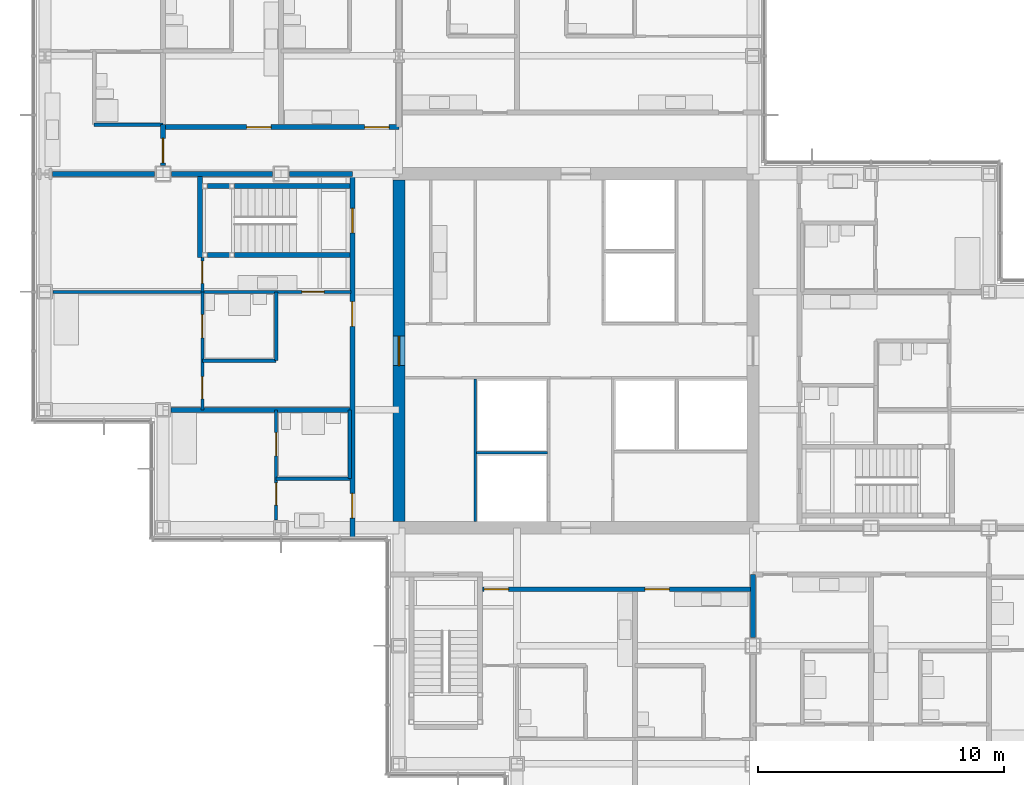
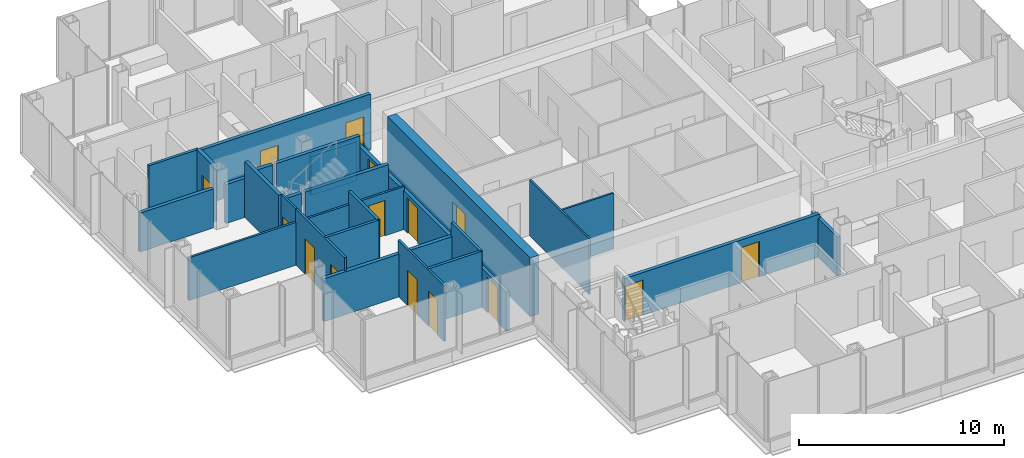
# One storey, part 13 of 19: 27 walls, 15 doors, 15 openings.
"""IFC4 building model written with IfcOpenShell, lengths in metres."""

from ifc_helpers import new_model, si_unit, direction, frame, frame_2d, origin, place, context, subcontext, project, spatial, rectangle, extrude, material, layer, layer_set, type_object, element, fill, save


model = new_model("IFC4")

# Units and contexts
model_context = context("Model", 3, precision=1e-05, world=origin(), true_north=direction((0.0, 1.0)))
body_context = subcontext(model_context, "Body", "Model", "MODEL_VIEW")
ifc_project = project(units=[si_unit("LENGTHUNIT", "METRE"), si_unit("AREAUNIT", "SQUARE_METRE"), si_unit("VOLUMEUNIT", "CUBIC_METRE"), si_unit("PLANEANGLEUNIT", "RADIAN"), si_unit("MASSUNIT", "GRAM", prefix="KILO")], contexts=[model_context])

# Site, building, storey
site_placement = place(None, origin())
site = spatial("IfcSite", under=ifc_project, at=site_placement, CompositionType="ELEMENT")
building_placement = place(site_placement, origin())
building = spatial("IfcBuilding", under=site, at=building_placement, Name="Kvirike Care Tower", CompositionType="ELEMENT")
storey_placement = place(building_placement, frame((0.0, 0.0, 108.5)))
storey = spatial("IfcBuildingStorey", under=building, at=storey_placement, Name="L29", CompositionType="ELEMENT", Elevation=108.5)

# Walls
ifc_material_1 = material(Name="Moisture-resistant board partition", Category="gypsum")
ifc_layer_1 = layer(ifc_material_1, 0.14990234375)
ifc_layer_set_1 = layer_set([ifc_layer_1], Name="BATHROOM WALL 150")
wall_type_1 = type_object("IfcWallType", Name="BATHROOM WALL 150", PredefinedType="PARTITIONING", material=ifc_layer_set_1)
wall_1_placement = place(storey_placement, frame((6.39990234375, 35.60009765625, 0.0), z_axis=(0.0, 0.0, 1.0), x_axis=(1.0, 0.0, 0.0)))
element("IfcWall", 1, at=wall_1_placement, inside=storey, type_object=wall_type_1, Name="Bathroom Wall 150 L29", PredefinedType="PARTITIONING", context=body_context, shape_type="SweptSolid", body=[
    extrude(rectangle(XDim=3.0, YDim=0.14990234375, at=frame_2d((1.5, 0.0))), origin(), (0.0, 0.0, 1.0), 3.330078125),
])
wall_2_placement = place(storey_placement, frame((9.39990234375, 38.39990234375, 0.0), z_axis=(0.0, 0.0, 1.0), x_axis=(0.0, -1.0, 0.0)))
element("IfcWall", 2, at=wall_2_placement, inside=storey, type_object=wall_type_1, Name="Bathroom Wall 150 L29", PredefinedType="PARTITIONING", context=body_context, shape_type="SweptSolid", body=[
    extrude(rectangle(XDim=2.7998046875, YDim=0.14990234375, at=frame_2d((1.39990234375, 0.0))), origin(), (0.0, 0.0, 1.0), 3.330078125),
])
wall_3_placement = place(storey_placement, frame((9.39990234375, 30.800048828125, 0.0), z_axis=(0.0, 0.0, 1.0), x_axis=(1.0, 0.0, 0.0)))
element("IfcWall", 3, at=wall_3_placement, inside=storey, type_object=wall_type_1, Name="Bathroom Wall 150 L29", PredefinedType="PARTITIONING", context=body_context, shape_type="SweptSolid", body=[
    extrude(rectangle(XDim=3.0, YDim=0.14990234375, at=frame_2d((1.5, 0.0))), origin(), (0.0, 0.0, 1.0), 3.330078125),
])
for number, where, z_axis, x_axis, name in (
    (4, (12.39990234375, 33.60009765625, 0.0), (0.0, 0.0, 1.0), (0.0, -1.0, 0.0), "Bathroom Wall 150 L29"),
    (5, (4.800048828125, 45.199951171875, 0.0), (0.0, 0.0, 1.0), (-1.0, 0.0, 0.0), "Bathroom Wall 150 L29"),
):
    element("IfcWall", number, at=place(storey_placement, frame(where, z_axis=z_axis, x_axis=x_axis)), inside=storey, type_object=wall_type_1, Name=name, PredefinedType="PARTITIONING", context=body_context, shape_type="SweptSolid", body=[
        extrude(rectangle(XDim=2.800048828125, YDim=0.14990234375, at=frame_2d((1.39990234375, 0.0))), origin(), (0.0, 0.0, 1.0), 3.330078125),
    ])

# Wall, opening, door
ifc_material_2 = material(Name="Concrete C50/60", Category="concrete")
ifc_layer_2 = layer(ifc_material_2, 0.5)
ifc_layer_set_2 = layer_set([ifc_layer_2], Name="CORE WALL 500 C50-60")
wall_type_2 = type_object("IfcWallType", Name="CORE WALL 500 C50-60", PredefinedType="SHEAR", material=ifc_layer_set_2)
wall_4_placement = place(storey_placement, frame((14.39990234375, 42.949951171875, -0.169921875), z_axis=(0.0, 0.0, 1.0), x_axis=(0.0, -1.0, 0.0)))
wall_4 = element("IfcWall", 6, at=wall_4_placement, inside=storey, type_object=wall_type_2, Name="Core wall W L29", PredefinedType="SHEAR", context=body_context, shape_type="SweptSolid", body=[
    extrude(rectangle(XDim=13.89990234375, YDim=0.5, at=frame_2d((6.949951171875, 0.0))), origin(), (0.0, 0.0, 1.0), 3.5),
])
opening_1_placement = place(wall_4_placement, frame((6.35009765625, 0.0, 0.169921875)))
opening_1 = element("IfcOpeningElement", 7, at=opening_1_placement, cuts=wall_4, Name="Opening 29-063", PredefinedType="OPENING", context=body_context, shape_type="SweptSolid", body=[
    extrude(rectangle(XDim=1.199951171875, YDim=2.10009765625, at=frame_2d((0.60009765625, 1.050048828125))), frame((0.0, 0.260498046875, 0.0), z_axis=(0.0, -1.0, 0.0), x_axis=(1.0, 0.0, 0.0)), (0.0, 0.0, 1.0), 0.52099609375),
])
ifc_material_3 = material(Name="Timber door set", Category="wood")
door_type_1 = type_object("IfcDoorType", Name="CORE DOOR 1200", OperationType="SINGLE_SWING_LEFT", PredefinedType="DOOR", material=ifc_material_3)
door_1_placement = place(opening_1_placement, origin())
door_1 = element("IfcDoor", 8, at=door_1_placement, inside=storey, type_object=door_type_1, Name="Core door W L29", OperationType="SINGLE_SWING_LEFT", OverallHeight=2.10009765625, OverallWidth=1.199951171875, PredefinedType="DOOR", context=body_context, shape_type="SweptSolid", body=[
    extrude(rectangle(XDim=1.199951171875, YDim=2.10009765625, at=frame_2d((0.60009765625, 1.050048828125))), frame((0.0, 0.02685546875, 0.0), z_axis=(0.0, -1.0, 0.0), x_axis=(1.0, 0.0, 0.0)), (0.0, 0.0, 1.0), 0.053955078125),
])
fill(opening_1, door_1)

# Wall, openings, doors
ifc_material_4 = material(Name="Plasterboard corridor wall", Category="gypsum")
ifc_layer_3 = layer(ifc_material_4, 0.199951171875)
ifc_layer_set_3 = layer_set([ifc_layer_3], Name="CORRIDOR WALL 200")
wall_type_3 = type_object("IfcWallType", Name="CORRIDOR WALL 200", PredefinedType="PARTITIONING", material=ifc_layer_set_3)
wall_5_placement = place(storey_placement, frame((12.5, 43.199951171875, 0.0), z_axis=(0.0, 0.0, 1.0), x_axis=(0.0, -1.0, 0.0)))
wall_5 = element("IfcWall", 9, at=wall_5_placement, inside=storey, type_object=wall_type_3, Name="Corridor Wall 200 L29", PredefinedType="PARTITIONING", context=body_context, shape_type="SweptSolid", body=[
    extrude(rectangle(XDim=14.83984375, YDim=0.199951171875, at=frame_2d((7.419921875, 0.0))), origin(), (0.0, 0.0, 1.0), 2.320068359375),
])
opening_2_placement = place(wall_5_placement, frame((1.39990234375, 0.0, 0.0)))
opening_2 = element("IfcOpeningElement", 10, at=opening_2_placement, cuts=wall_5, Name="Opening 29-007", PredefinedType="OPENING", context=body_context, shape_type="SweptSolid", body=[
    extrude(rectangle(XDim=1.0, YDim=2.10009765625, at=frame_2d((0.5, 1.050048828125))), frame((0.0, 0.110595703125, 0.0), z_axis=(0.0, -1.0, 0.0), x_axis=(1.0, 0.0, 0.0)), (0.0, 0.0, 1.0), 0.220947265625),
])
opening_3_placement = place(wall_5_placement, frame((5.199951171875, 0.0, 0.0)))
opening_3 = element("IfcOpeningElement", 11, at=opening_3_placement, cuts=wall_5, Name="Opening 29-008", PredefinedType="OPENING", context=body_context, shape_type="SweptSolid", body=[
    extrude(rectangle(XDim=1.0, YDim=2.10009765625, at=frame_2d((0.5, 1.050048828125))), frame((0.0, 0.110595703125, 0.0), z_axis=(0.0, -1.0, 0.0), x_axis=(1.0, 0.0, 0.0)), (0.0, 0.0, 1.0), 0.220947265625),
])
opening_4_placement = place(wall_5_placement, frame((13.0, 0.0, 0.0)))
opening_4 = element("IfcOpeningElement", 12, at=opening_4_placement, cuts=wall_5, Name="Opening 29-009", PredefinedType="OPENING", context=body_context, shape_type="SweptSolid", body=[
    extrude(rectangle(XDim=1.0, YDim=2.10009765625, at=frame_2d((0.5, 1.050048828125))), frame((0.0, 0.110595703125, 0.0), z_axis=(0.0, -1.0, 0.0), x_axis=(1.0, 0.0, 0.0)), (0.0, 0.0, 1.0), 0.220947265625),
])
ifc_material_5 = material(Name="Timber door set", Category="wood")
door_type_2 = type_object("IfcDoorType", Name="FLAT ENTRANCE DOOR 1000", OperationType="SINGLE_SWING_LEFT", PredefinedType="DOOR", material=ifc_material_5)
door_2_placement = place(opening_3_placement, frame((1.0, 0.0, 0.0), z_axis=(0.0, 0.0, 1.0), x_axis=(-1.0, 0.0, 0.0)))
door_2 = element("IfcDoor", 13, at=door_2_placement, inside=storey, type_object=door_type_2, Name="Assisted living suite entrance", OperationType="SINGLE_SWING_LEFT", OverallHeight=2.10009765625, OverallWidth=1.0, PredefinedType="DOOR", context=body_context, shape_type="SweptSolid", body=[
    extrude(rectangle(XDim=1.0, YDim=2.10009765625, at=frame_2d((0.5, 1.050048828125))), frame((0.0, 0.02685546875, 0.0), z_axis=(0.0, -1.0, 0.0), x_axis=(1.0, 0.0, 0.0)), (0.0, 0.0, 1.0), 0.053955078125),
])
fill(opening_3, door_2)
door_3_placement = place(opening_4_placement, frame((1.0, 0.0, 0.0), z_axis=(0.0, 0.0, 1.0), x_axis=(-1.0, 0.0, 0.0)))
door_3 = element("IfcDoor", 14, at=door_3_placement, inside=storey, type_object=door_type_2, Name="Assisted living suite entrance", OperationType="SINGLE_SWING_RIGHT", OverallHeight=2.10009765625, OverallWidth=1.0, PredefinedType="DOOR", context=body_context, shape_type="SweptSolid", body=[
    extrude(rectangle(XDim=1.0, YDim=2.10009765625, at=frame_2d((0.5, 1.050048828125))), frame((0.0, 0.02685546875, 0.0), z_axis=(0.0, -1.0, 0.0), x_axis=(1.0, 0.0, 0.0)), (0.0, 0.0, 1.0), 0.053955078125),
])
fill(opening_4, door_3)
ifc_material_6 = material(Name="Timber door set", Category="wood")
door_type_3 = type_object("IfcDoorType", Name="STAIR DOOR 1000", OperationType="SINGLE_SWING_LEFT", PredefinedType="DOOR", material=ifc_material_6)
door_4_placement = place(opening_2_placement, frame((1.0, 0.0, 0.0), z_axis=(0.0, 0.0, 1.0), x_axis=(-1.0, 0.0, 0.0)))
door_4 = element("IfcDoor", 15, at=door_4_placement, inside=storey, type_object=door_type_3, Name="Stair 1 door", OperationType="SINGLE_SWING_LEFT", OverallHeight=2.10009765625, OverallWidth=1.0, PredefinedType="DOOR", context=body_context, shape_type="SweptSolid", body=[
    extrude(rectangle(XDim=1.0, YDim=2.10009765625, at=frame_2d((0.5, 1.050048828125))), frame((0.0, 0.031982421875, 0.0), z_axis=(0.0, -1.0, 0.0), x_axis=(1.0, 0.0, 0.0)), (0.0, 0.0, 1.0), 0.06396484375),
])
fill(opening_2, door_4)

wall_6_placement = place(storey_placement, frame((14.39990234375, 45.10009765625, 0.0), z_axis=(0.0, 0.0, 1.0), x_axis=(-1.0, 0.0, 0.0)))
wall_6 = element("IfcWall", 16, at=wall_6_placement, inside=storey, type_object=wall_type_3, Name="Corridor Wall 200 L29", PredefinedType="PARTITIONING", context=body_context, shape_type="SweptSolid", body=[
    extrude(rectangle(XDim=9.599853515625, YDim=0.199951171875, at=frame_2d((4.7998046875, 0.0))), origin(), (0.0, 0.0, 1.0), 3.330078125),
])
opening_5_placement = place(wall_6_placement, frame((0.39990234375, 0.0, 0.0)))
opening_5 = element("IfcOpeningElement", 17, at=opening_5_placement, cuts=wall_6, Name="Opening 29-016", PredefinedType="OPENING", context=body_context, shape_type="SweptSolid", body=[
    extrude(rectangle(XDim=1.0, YDim=2.10009765625, at=frame_2d((0.5, 1.050048828125))), frame((0.0, 0.110595703125, 0.0), z_axis=(0.0, -1.0, 0.0), x_axis=(1.0, 0.0, 0.0)), (0.0, 0.0, 1.0), 0.220947265625),
])
opening_6_placement = place(wall_6_placement, frame((5.199951171875, 0.0, 0.0)))
opening_6 = element("IfcOpeningElement", 18, at=opening_6_placement, cuts=wall_6, Name="Opening 29-017", PredefinedType="OPENING", context=body_context, shape_type="SweptSolid", body=[
    extrude(rectangle(XDim=1.0, YDim=2.10009765625, at=frame_2d((0.5, 1.050048828125))), frame((0.0, 0.110595703125, 0.0), z_axis=(0.0, -1.0, 0.0), x_axis=(1.0, 0.0, 0.0)), (0.0, 0.0, 1.0), 0.220947265625),
])
door_5_placement = place(opening_5_placement, frame((1.0, 0.0, 0.0), z_axis=(0.0, 0.0, 1.0), x_axis=(-1.0, 0.0, 0.0)))
door_5 = element("IfcDoor", 19, at=door_5_placement, inside=storey, type_object=door_type_2, Name="Assisted living suite entrance", OperationType="SINGLE_SWING_LEFT", OverallHeight=2.10009765625, OverallWidth=1.0, PredefinedType="DOOR", context=body_context, shape_type="SweptSolid", body=[
    extrude(rectangle(XDim=1.0, YDim=2.10009765625, at=frame_2d((0.5, 1.050048828125))), frame((0.0, 0.02685546875, 0.0), z_axis=(0.0, -1.0, 0.0), x_axis=(1.0, 0.0, 0.0)), (0.0, 0.0, 1.0), 0.053955078125),
])
fill(opening_5, door_5)
door_6_placement = place(opening_6_placement, frame((1.0, 0.0, 0.0), z_axis=(0.0, 0.0, 1.0), x_axis=(-1.0, 0.0, 0.0)))
door_6 = element("IfcDoor", 20, at=door_6_placement, inside=storey, type_object=door_type_2, Name="Assisted living suite entrance", OperationType="SINGLE_SWING_LEFT", OverallHeight=2.10009765625, OverallWidth=1.0, PredefinedType="DOOR", context=body_context, shape_type="SweptSolid", body=[
    extrude(rectangle(XDim=1.0, YDim=2.10009765625, at=frame_2d((0.5, 1.050048828125))), frame((0.0, 0.02685546875, 0.0), z_axis=(0.0, -1.0, 0.0), x_axis=(1.0, 0.0, 0.0)), (0.0, 0.0, 1.0), 0.053955078125),
])
fill(opening_6, door_6)

# Wall, opening, door
wall_7_placement = place(storey_placement, frame((4.800048828125, 45.199951171875, 0.0), z_axis=(0.0, 0.0, 1.0), x_axis=(0.0, -1.0, 0.0)))
wall_7 = element("IfcWall", 21, at=wall_7_placement, inside=storey, type_object=wall_type_3, Name="Corridor Wall 200 L29", PredefinedType="PARTITIONING", context=body_context, shape_type="SweptSolid", body=[
    extrude(rectangle(XDim=1.655029296875, YDim=0.199951171875, at=frame_2d((0.82763671875, 0.0))), origin(), (0.0, 0.0, 1.0), 3.330078125),
])
opening_7_placement = place(wall_7_placement, frame((0.550048828125, 0.0, 0.0)))
opening_7 = element("IfcOpeningElement", 22, at=opening_7_placement, cuts=wall_7, Name="Opening 29-018", PredefinedType="OPENING", context=body_context, shape_type="SweptSolid", body=[
    extrude(rectangle(XDim=1.0, YDim=2.10009765625, at=frame_2d((0.5, 1.050048828125))), frame((0.0, 0.110595703125, 0.0), z_axis=(0.0, -1.0, 0.0), x_axis=(1.0, 0.0, 0.0)), (0.0, 0.0, 1.0), 0.220947265625),
])
door_7_placement = place(opening_7_placement, frame((1.0, 0.0, 0.0), z_axis=(0.0, 0.0, 1.0), x_axis=(-1.0, 0.0, 0.0)))
door_7 = element("IfcDoor", 23, at=door_7_placement, inside=storey, type_object=door_type_2, Name="Assisted living suite entrance", OperationType="SINGLE_SWING_RIGHT", OverallHeight=2.10009765625, OverallWidth=1.0, PredefinedType="DOOR", context=body_context, shape_type="SweptSolid", body=[
    extrude(rectangle(XDim=1.0, YDim=2.10009765625, at=frame_2d((0.5, 1.050048828125))), frame((0.0, 0.02685546875, 0.0), z_axis=(0.0, -1.0, 0.0), x_axis=(1.0, 0.0, 0.0)), (0.0, 0.0, 1.0), 0.053955078125),
])
fill(opening_7, door_7)

# Wall, openings, doors
wall_8_placement = place(storey_placement, frame((17.800048828125, 26.300048828125, 0.0), z_axis=(0.0, 0.0, 1.0), x_axis=(1.0, 0.0, 0.0)))
wall_8 = element("IfcWall", 24, at=wall_8_placement, inside=storey, type_object=wall_type_3, Name="Corridor Wall 200 L29", PredefinedType="PARTITIONING", context=body_context, shape_type="SweptSolid", body=[
    extrude(rectangle(XDim=11.0, YDim=0.199951171875, at=frame_2d((5.5, 0.0))), origin(), (0.0, 0.0, 1.0), 2.550048828125),
])
opening_8_placement = place(wall_8_placement, frame((0.06005859375, 0.0, 0.0)))
opening_8 = element("IfcOpeningElement", 25, at=opening_8_placement, cuts=wall_8, Name="Opening 29-024", PredefinedType="OPENING", context=body_context, shape_type="SweptSolid", body=[
    extrude(rectangle(XDim=1.0, YDim=2.10009765625, at=frame_2d((0.5, 1.050048828125))), frame((0.0, 0.110595703125, 0.0), z_axis=(0.0, -1.0, 0.0), x_axis=(1.0, 0.0, 0.0)), (0.0, 0.0, 1.0), 0.220947265625),
])
opening_9_placement = place(wall_8_placement, frame((6.60009765625, 0.0, 0.0)))
opening_9 = element("IfcOpeningElement", 26, at=opening_9_placement, cuts=wall_8, Name="Opening 29-025", PredefinedType="OPENING", context=body_context, shape_type="SweptSolid", body=[
    extrude(rectangle(XDim=1.0, YDim=2.10009765625, at=frame_2d((0.5, 1.050048828125))), frame((0.0, 0.110595703125, 0.0), z_axis=(0.0, -1.0, 0.0), x_axis=(1.0, 0.0, 0.0)), (0.0, 0.0, 1.0), 0.220947265625),
])
door_8_placement = place(opening_8_placement, frame((1.0, 0.0, 0.0), z_axis=(0.0, 0.0, 1.0), x_axis=(-1.0, 0.0, 0.0)))
door_8 = element("IfcDoor", 27, at=door_8_placement, inside=storey, type_object=door_type_2, Name="Household lounge entrance", OperationType="SINGLE_SWING_LEFT", OverallHeight=2.10009765625, OverallWidth=1.0, PredefinedType="DOOR", context=body_context, shape_type="SweptSolid", body=[
    extrude(rectangle(XDim=1.0, YDim=2.10009765625, at=frame_2d((0.5, 1.050048828125))), frame((0.0, 0.02685546875, 0.0), z_axis=(0.0, -1.0, 0.0), x_axis=(1.0, 0.0, 0.0)), (0.0, 0.0, 1.0), 0.053955078125),
])
fill(opening_8, door_8)
door_9_placement = place(opening_9_placement, frame((1.0, 0.0, 0.0), z_axis=(0.0, 0.0, 1.0), x_axis=(-1.0, 0.0, 0.0)))
door_9 = element("IfcDoor", 28, at=door_9_placement, inside=storey, type_object=door_type_2, Name="Household dining entrance", OperationType="SINGLE_SWING_LEFT", OverallHeight=2.10009765625, OverallWidth=1.0, PredefinedType="DOOR", context=body_context, shape_type="SweptSolid", body=[
    extrude(rectangle(XDim=1.0, YDim=2.10009765625, at=frame_2d((0.5, 1.050048828125))), frame((0.0, 0.02685546875, 0.0), z_axis=(0.0, -1.0, 0.0), x_axis=(1.0, 0.0, 0.0)), (0.0, 0.0, 1.0), 0.053955078125),
])
fill(opening_9, door_9)

# Wall, opening, door
ifc_material_7 = material(Name="Plasterboard partition", Category="gypsum")
ifc_layer_4 = layer(ifc_material_7, 0.1201171875)
ifc_layer_set_4 = layer_set([ifc_layer_4], Name="PARTITION 120")
wall_type_4 = type_object("IfcWallType", Name="PARTITION 120", PredefinedType="PARTITIONING", material=ifc_layer_set_4)
wall_9_placement = place(storey_placement, frame((6.39990234375, 38.39990234375, 0.0), z_axis=(0.0, 0.0, 1.0), x_axis=(1.0, 0.0, 0.0)))
wall_9 = element("IfcWall", 29, at=wall_9_placement, inside=storey, type_object=wall_type_4, Name="Partition 120 L29", PredefinedType="PARTITIONING", context=body_context, shape_type="SweptSolid", body=[
    extrude(rectangle(XDim=6.050048828125, YDim=0.1201171875, at=frame_2d((3.02490234375, 0.0))), origin(), (0.0, 0.0, 1.0), 2.550048828125),
])
opening_10_placement = place(wall_9_placement, frame((4.050048828125, 0.0, 0.0)))
opening_10 = element("IfcOpeningElement", 30, at=opening_10_placement, cuts=wall_9, Name="Opening 29-001", PredefinedType="OPENING", context=body_context, shape_type="SweptSolid", body=[
    extrude(rectangle(XDim=0.89990234375, YDim=2.10009765625, at=frame_2d((0.449951171875, 1.050048828125))), frame((0.0, 0.070556640625, 0.0), z_axis=(0.0, -1.0, 0.0), x_axis=(1.0, 0.0, 0.0)), (0.0, 0.0, 1.0), 0.14111328125),
])
ifc_material_8 = material(Name="Timber door set", Category="wood")
door_type_4 = type_object("IfcDoorType", Name="INTERNAL DOOR 900", OperationType="SINGLE_SWING_LEFT", PredefinedType="DOOR", material=ifc_material_8)
door_10_placement = place(opening_10_placement, origin())
door_10 = element("IfcDoor", 31, at=door_10_placement, inside=storey, type_object=door_type_4, Name="Hall door", OperationType="SINGLE_SWING_LEFT", OverallHeight=2.10009765625, OverallWidth=0.89990234375, PredefinedType="DOOR", context=body_context, shape_type="SweptSolid", body=[
    extrude(rectangle(XDim=0.89990234375, YDim=2.10009765625, at=frame_2d((0.449951171875, 1.050048828125))), frame((0.0, 0.02197265625, 0.0), z_axis=(0.0, -1.0, 0.0), x_axis=(1.0, 0.0, 0.0)), (0.0, 0.0, 1.0), 0.0439453125),
])
fill(opening_10, door_10)

wall_10_placement = place(storey_placement, frame((6.39990234375, 39.800048828125, 0.0), z_axis=(0.0, 0.0, 1.0), x_axis=(0.0, -1.0, 0.0)))
wall_10 = element("IfcWall", 32, at=wall_10_placement, inside=storey, type_object=wall_type_4, Name="Partition 120 L29", PredefinedType="PARTITIONING", context=body_context, shape_type="SweptSolid", body=[
    extrude(rectangle(XDim=1.400146484375, YDim=0.1201171875, at=frame_2d((0.7001953125, 0.0))), origin(), (0.0, 0.0, 1.0), 3.330078125),
])
opening_11_placement = place(wall_10_placement, frame((0.14990234375, 0.0, 0.0)))
opening_11 = element("IfcOpeningElement", 33, at=opening_11_placement, cuts=wall_10, Name="Opening 29-002", PredefinedType="OPENING", context=body_context, shape_type="SweptSolid", body=[
    extrude(rectangle(XDim=0.89990234375, YDim=2.10009765625, at=frame_2d((0.449951171875, 1.050048828125))), frame((0.0, 0.070556640625, 0.0), z_axis=(0.0, -1.0, 0.0), x_axis=(1.0, 0.0, 0.0)), (0.0, 0.0, 1.0), 0.14111328125),
])
door_11_placement = place(opening_11_placement, origin())
door_11 = element("IfcDoor", 34, at=door_11_placement, inside=storey, type_object=door_type_4, Name="Suite sitting room door", OperationType="SINGLE_SWING_RIGHT", OverallHeight=2.10009765625, OverallWidth=0.89990234375, PredefinedType="DOOR", context=body_context, shape_type="SweptSolid", body=[
    extrude(rectangle(XDim=0.89990234375, YDim=2.10009765625, at=frame_2d((0.449951171875, 1.050048828125))), frame((0.0, 0.02197265625, 0.0), z_axis=(0.0, -1.0, 0.0), x_axis=(1.0, 0.0, 0.0)), (0.0, 0.0, 1.0), 0.0439453125),
])
fill(opening_11, door_11)

# Wall, openings, doors
wall_11_placement = place(storey_placement, frame((6.39990234375, 38.39990234375, 0.0), z_axis=(0.0, 0.0, 1.0), x_axis=(0.0, -1.0, 0.0)))
wall_11 = element("IfcWall", 35, at=wall_11_placement, inside=storey, type_object=wall_type_4, Name="Partition 120 L29", PredefinedType="PARTITIONING", context=body_context, shape_type="SweptSolid", body=[
    extrude(rectangle(XDim=4.7998046875, YDim=0.1201171875, at=frame_2d((2.39990234375, 0.0))), origin(), (0.0, 0.0, 1.0), 3.330078125),
])
opening_12_placement = place(wall_11_placement, frame((3.449951171875, 0.0, 0.0)))
opening_12 = element("IfcOpeningElement", 36, at=opening_12_placement, cuts=wall_11, Name="Opening 29-003", PredefinedType="OPENING", context=body_context, shape_type="SweptSolid", body=[
    extrude(rectangle(XDim=0.89990234375, YDim=2.10009765625, at=frame_2d((0.449951171875, 1.050048828125))), frame((0.0, 0.070556640625, 0.0), z_axis=(0.0, -1.0, 0.0), x_axis=(1.0, 0.0, 0.0)), (0.0, 0.0, 1.0), 0.14111328125),
])
opening_13_placement = place(wall_11_placement, frame((0.925048828125, 0.0, 0.0)))
opening_13 = element("IfcOpeningElement", 37, at=opening_13_placement, cuts=wall_11, Name="Opening 29-004", PredefinedType="OPENING", context=body_context, shape_type="SweptSolid", body=[
    extrude(rectangle(XDim=0.949951171875, YDim=2.10009765625, at=frame_2d((0.47509765625, 1.050048828125))), frame((0.0, 0.070556640625, 0.0), z_axis=(0.0, -1.0, 0.0), x_axis=(1.0, 0.0, 0.0)), (0.0, 0.0, 1.0), 0.14111328125),
])
ifc_material_9 = material(Name="Timber door set", Category="wood")
door_type_5 = type_object("IfcDoorType", Name="EN-SUITE SLIDING DOOR 950", OperationType="SLIDING_TO_LEFT", PredefinedType="DOOR", material=ifc_material_9)
door_12_placement = place(opening_13_placement, origin())
door_12 = element("IfcDoor", 38, at=door_12_placement, inside=storey, type_object=door_type_5, Name="En-suite door", OperationType="SLIDING_TO_RIGHT", OverallHeight=2.10009765625, OverallWidth=0.949951171875, PredefinedType="DOOR", context=body_context, shape_type="SweptSolid", body=[
    extrude(rectangle(XDim=0.949951171875, YDim=2.10009765625, at=frame_2d((0.47509765625, 1.050048828125))), frame((0.0, 0.02197265625, 0.0), z_axis=(0.0, -1.0, 0.0), x_axis=(1.0, 0.0, 0.0)), (0.0, 0.0, 1.0), 0.0439453125),
])
fill(opening_13, door_12)
door_13_placement = place(opening_12_placement, origin())
door_13 = element("IfcDoor", 39, at=door_13_placement, inside=storey, type_object=door_type_4, Name="Assisted living suite door", OperationType="SINGLE_SWING_LEFT", OverallHeight=2.10009765625, OverallWidth=0.89990234375, PredefinedType="DOOR", context=body_context, shape_type="SweptSolid", body=[
    extrude(rectangle(XDim=0.89990234375, YDim=2.10009765625, at=frame_2d((0.449951171875, 1.050048828125))), frame((0.0, 0.02197265625, 0.0), z_axis=(0.0, -1.0, 0.0), x_axis=(1.0, 0.0, 0.0)), (0.0, 0.0, 1.0), 0.0439453125),
])
fill(opening_12, door_13)

# Wall
wall_12_placement = place(storey_placement, frame((0.320068359375, 38.39990234375, 0.0), z_axis=(0.0, 0.0, 1.0), x_axis=(1.0, 0.0, 0.0)))
element("IfcWall", 40, at=wall_12_placement, inside=storey, type_object=wall_type_4, Name="Partition 120 L29", PredefinedType="PARTITIONING", context=body_context, shape_type="SweptSolid", body=[
    extrude(rectangle(XDim=6.079833984375, YDim=0.1201171875, at=frame_2d((3.0400390625, 0.0))), origin(), (0.0, 0.0, 1.0), 2.550048828125),
])

# Wall, openings, doors
wall_13_placement = place(storey_placement, frame((9.39990234375, 33.60009765625, 0.0), z_axis=(0.0, 0.0, 1.0), x_axis=(0.0, -1.0, 0.0)))
wall_13 = element("IfcWall", 41, at=wall_13_placement, inside=storey, type_object=wall_type_4, Name="Partition 120 L29", PredefinedType="PARTITIONING", context=body_context, shape_type="SweptSolid", body=[
    extrude(rectangle(XDim=4.47998046875, YDim=0.1201171875, at=frame_2d((2.239990234375, 0.0))), origin(), (0.0, 0.0, 1.0), 3.330078125),
])
opening_14_placement = place(wall_13_placement, frame((2.97509765625, 0.0, 0.0)))
opening_14 = element("IfcOpeningElement", 42, at=opening_14_placement, cuts=wall_13, Name="Opening 29-005", PredefinedType="OPENING", context=body_context, shape_type="SweptSolid", body=[
    extrude(rectangle(XDim=0.89990234375, YDim=2.10009765625, at=frame_2d((0.449951171875, 1.050048828125))), frame((0.0, 0.070556640625, 0.0), z_axis=(0.0, -1.0, 0.0), x_axis=(1.0, 0.0, 0.0)), (0.0, 0.0, 1.0), 0.14111328125),
])
opening_15_placement = place(wall_13_placement, frame((0.925048828125, 0.0, 0.0)))
opening_15 = element("IfcOpeningElement", 43, at=opening_15_placement, cuts=wall_13, Name="Opening 29-006", PredefinedType="OPENING", context=body_context, shape_type="SweptSolid", body=[
    extrude(rectangle(XDim=0.949951171875, YDim=2.10009765625, at=frame_2d((0.47509765625, 1.050048828125))), frame((0.0, 0.070556640625, 0.0), z_axis=(0.0, -1.0, 0.0), x_axis=(1.0, 0.0, 0.0)), (0.0, 0.0, 1.0), 0.14111328125),
])
door_14_placement = place(opening_15_placement, origin())
door_14 = element("IfcDoor", 44, at=door_14_placement, inside=storey, type_object=door_type_5, Name="En-suite door", OperationType="SLIDING_TO_RIGHT", OverallHeight=2.10009765625, OverallWidth=0.949951171875, PredefinedType="DOOR", context=body_context, shape_type="SweptSolid", body=[
    extrude(rectangle(XDim=0.949951171875, YDim=2.10009765625, at=frame_2d((0.47509765625, 1.050048828125))), frame((0.0, 0.02197265625, 0.0), z_axis=(0.0, -1.0, 0.0), x_axis=(1.0, 0.0, 0.0)), (0.0, 0.0, 1.0), 0.0439453125),
])
fill(opening_15, door_14)
door_15_placement = place(opening_14_placement, origin())
door_15 = element("IfcDoor", 45, at=door_15_placement, inside=storey, type_object=door_type_4, Name="Assisted living suite door", OperationType="SINGLE_SWING_RIGHT", OverallHeight=2.10009765625, OverallWidth=0.89990234375, PredefinedType="DOOR", context=body_context, shape_type="SweptSolid", body=[
    extrude(rectangle(XDim=0.89990234375, YDim=2.10009765625, at=frame_2d((0.449951171875, 1.050048828125))), frame((0.0, 0.02197265625, 0.0), z_axis=(0.0, -1.0, 0.0), x_axis=(1.0, 0.0, 0.0)), (0.0, 0.0, 1.0), 0.0439453125),
])
fill(opening_14, door_15)

# Walls
ifc_material_10 = material(Name="Plasterboard party wall", Category="gypsum")
ifc_layer_5 = layer(ifc_material_10, 0.199951171875)
ifc_layer_set_5 = layer_set([ifc_layer_5], Name="PARTY WALL 200")
wall_type_5 = type_object("IfcWallType", Name="PARTY WALL 200", PredefinedType="PARTITIONING", material=ifc_layer_set_5)
wall_14_placement = place(storey_placement, frame((5.1201171875, 33.60009765625, 0.0), z_axis=(0.0, 0.0, 1.0), x_axis=(1.0, 0.0, 0.0)))
element("IfcWall", 46, at=wall_14_placement, inside=storey, type_object=wall_type_5, Name="Party Wall 200 L29", PredefinedType="PARTITIONING", context=body_context, shape_type="SweptSolid", body=[
    extrude(rectangle(XDim=7.27978515625, YDim=0.199951171875, at=frame_2d((3.639892578125, 0.0))), origin(), (0.0, 0.0, 1.0), 2.550048828125),
])
wall_15_placement = place(storey_placement, frame((12.5, 43.199951171875, 0.0), z_axis=(0.0, 0.0, 1.0), x_axis=(-1.0, 0.0, 0.0)))
element("IfcWall", 47, at=wall_15_placement, inside=storey, type_object=wall_type_5, Name="Party Wall 200 L29", PredefinedType="PARTITIONING", context=body_context, shape_type="SweptSolid", body=[
    extrude(rectangle(XDim=2.554931640625, YDim=0.199951171875, at=frame_2d((1.27734375, 0.0))), origin(), (0.0, 0.0, 1.0), 2.320068359375),
])
wall_16_placement = place(storey_placement, frame((9.2548828125, 43.199951171875, 0.0), z_axis=(0.0, 0.0, 1.0), x_axis=(-1.0, 0.0, 0.0)))
element("IfcWall", 48, at=wall_16_placement, inside=storey, type_object=wall_type_5, Name="Party Wall 200 L29", PredefinedType="PARTITIONING", context=body_context, shape_type="SweptSolid", body=[
    extrude(rectangle(XDim=4.10986328125, YDim=0.199951171875, at=frame_2d((2.054931640625, 0.0))), origin(), (0.0, 0.0, 1.0), 2.320068359375),
])
wall_17_placement = place(storey_placement, frame((4.455078125, 43.199951171875, 0.0), z_axis=(0.0, 0.0, 1.0), x_axis=(-1.0, 0.0, 0.0)))
element("IfcWall", 49, at=wall_17_placement, inside=storey, type_object=wall_type_5, Name="Party Wall 200 L29", PredefinedType="PARTITIONING", context=body_context, shape_type="SweptSolid", body=[
    extrude(rectangle(XDim=4.150634765625, YDim=0.199951171875, at=frame_2d((2.0751953125, 0.0))), origin(), (0.0, 0.0, 1.0), 2.320068359375),
])
wall_18_placement = place(storey_placement, frame((28.800048828125, 24.344970703125, 0.0), z_axis=(0.0, 0.0, 1.0), x_axis=(0.0, 1.0, 0.0)))
element("IfcWall", 50, at=wall_18_placement, inside=storey, type_object=wall_type_5, Name="Party Wall 200 L29", PredefinedType="PARTITIONING", context=body_context, shape_type="SweptSolid", body=[
    extrude(rectangle(XDim=2.554931640625, YDim=0.199951171875, at=frame_2d((1.27734375, 0.0))), origin(), (0.0, 0.0, 1.0), 2.320068359375),
])
ifc_material_11 = material(Name="Gypsum shaft wall system", Category="gypsum")
ifc_layer_6 = layer(ifc_material_11, 0.10009765625)
ifc_layer_set_6 = layer_set([ifc_layer_6], Name="SHAFT WALL 100")
wall_type_6 = type_object("IfcWallType", Name="SHAFT WALL 100", PredefinedType="SOLIDWALL", material=ifc_layer_set_6)
wall_19_placement = place(storey_placement, frame((17.5, 29.050048828125, 0.0), z_axis=(0.0, 0.0, 1.0), x_axis=(0.0, 1.0, 0.0)))
element("IfcWall", 51, at=wall_19_placement, inside=storey, type_object=wall_type_6, Name="Shaft Wall 100 L29", PredefinedType="SOLIDWALL", context=body_context, shape_type="SweptSolid", body=[
    extrude(rectangle(XDim=5.800048828125, YDim=0.10009765625, at=frame_2d((2.89990234375, 0.0))), origin(), (0.0, 0.0, 1.0), 3.330078125),
])
wall_20_placement = place(storey_placement, frame((17.550048828125, 31.85009765625, 0.0), z_axis=(0.0, 0.0, 1.0), x_axis=(1.0, 0.0, 0.0)))
element("IfcWall", 52, at=wall_20_placement, inside=storey, type_object=wall_type_6, Name="Shaft Wall 100 L29", PredefinedType="SOLIDWALL", context=body_context, shape_type="SweptSolid", body=[
    extrude(rectangle(XDim=2.89990234375, YDim=0.10009765625, at=frame_2d((1.449951171875, 0.0))), origin(), (0.0, 0.0, 1.0), 3.330078125),
])
ifc_material_12 = material(Name="Concrete C40/50", Category="concrete")
ifc_layer_7 = layer(ifc_material_12, 0.199951171875)
ifc_layer_set_7 = layer_set([ifc_layer_7], Name="STAIR WALL 200")
wall_type_7 = type_object("IfcWallType", Name="STAIR WALL 200", PredefinedType="SOLIDWALL", material=ifc_layer_set_7)
wall_21_placement = place(storey_placement, frame((6.60009765625, 42.699951171875, 0.0), z_axis=(0.0, 0.0, 1.0), x_axis=(1.0, 0.0, 0.0)))
element("IfcWall", 53, at=wall_21_placement, inside=storey, type_object=wall_type_7, Name="Stair Wall 200 L29", PredefinedType="SOLIDWALL", context=body_context, shape_type="SweptSolid", body=[
    extrude(rectangle(XDim=0.89990234375, YDim=0.199951171875, at=frame_2d((0.449951171875, 0.0))), origin(), (0.0, 0.0, 1.0), 2.989990234375),
])
wall_22_placement = place(storey_placement, frame((7.699951171875, 42.699951171875, 0.0), z_axis=(0.0, 0.0, 1.0), x_axis=(1.0, 0.0, 0.0)))
element("IfcWall", 54, at=wall_22_placement, inside=storey, type_object=wall_type_7, Name="Stair Wall 200 L29", PredefinedType="SOLIDWALL", context=body_context, shape_type="SweptSolid", body=[
    extrude(rectangle(XDim=4.699951171875, YDim=0.199951171875, at=frame_2d((2.35009765625, 0.0))), origin(), (0.0, 0.0, 1.0), 2.989990234375),
])
wall_23_placement = place(storey_placement, frame((6.60009765625, 39.89990234375, 0.0), z_axis=(0.0, 0.0, 1.0), x_axis=(1.0, 0.0, 0.0)))
element("IfcWall", 55, at=wall_23_placement, inside=storey, type_object=wall_type_7, Name="Stair Wall 200 L29", PredefinedType="SOLIDWALL", context=body_context, shape_type="SweptSolid", body=[
    extrude(rectangle(XDim=0.89990234375, YDim=0.199951171875, at=frame_2d((0.449951171875, 0.0))), origin(), (0.0, 0.0, 1.0), 2.989990234375),
])
wall_24_placement = place(storey_placement, frame((7.699951171875, 39.89990234375, 0.0), z_axis=(0.0, 0.0, 1.0), x_axis=(1.0, 0.0, 0.0)))
element("IfcWall", 56, at=wall_24_placement, inside=storey, type_object=wall_type_7, Name="Stair Wall 200 L29", PredefinedType="SOLIDWALL", context=body_context, shape_type="SweptSolid", body=[
    extrude(rectangle(XDim=4.699951171875, YDim=0.199951171875, at=frame_2d((2.35009765625, 0.0))), origin(), (0.0, 0.0, 1.0), 2.989990234375),
])
wall_25_placement = place(storey_placement, frame((6.300048828125, 43.10009765625, 0.0), z_axis=(0.0, 0.0, 1.0), x_axis=(0.0, -1.0, 0.0)))
element("IfcWall", 57, at=wall_25_placement, inside=storey, type_object=wall_type_7, Name="Stair Wall 200 L29", PredefinedType="SOLIDWALL", context=body_context, shape_type="SweptSolid", body=[
    extrude(rectangle(XDim=3.300048828125, YDim=0.199951171875, at=frame_2d((1.64990234375, 0.0))), origin(), (0.0, 0.0, 1.0), 3.330078125),
])

save(model, "model.ifc")
